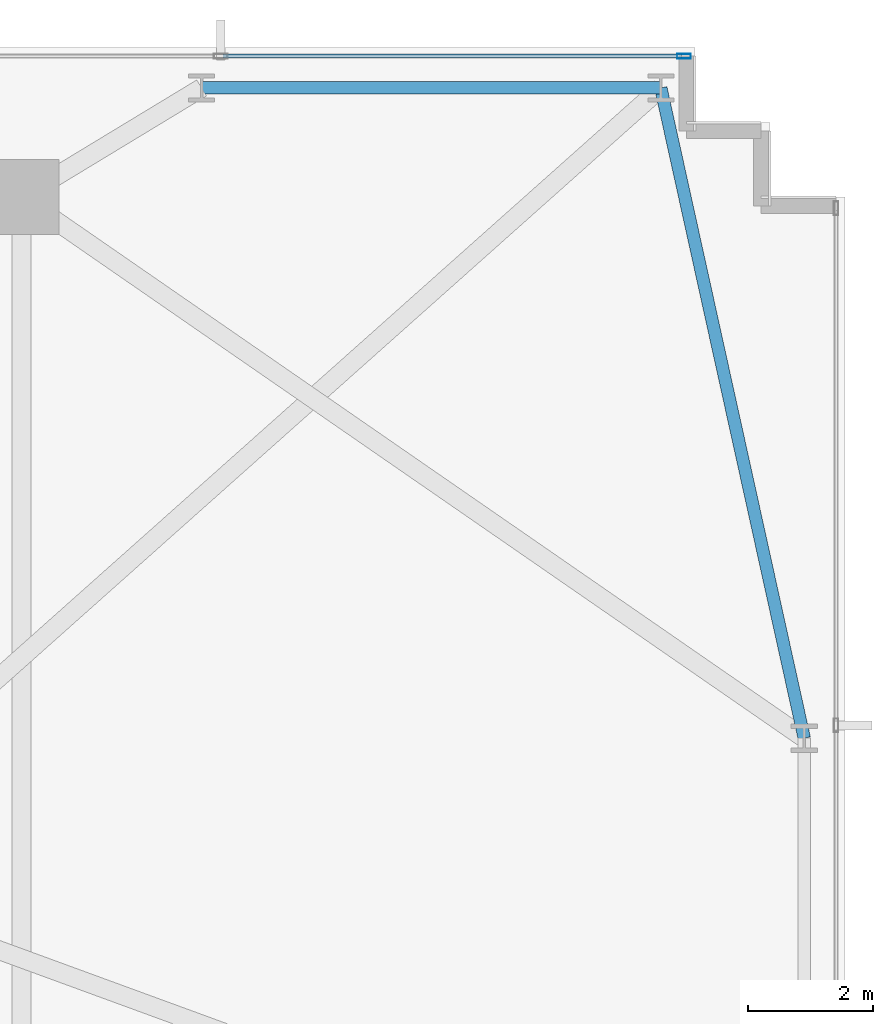
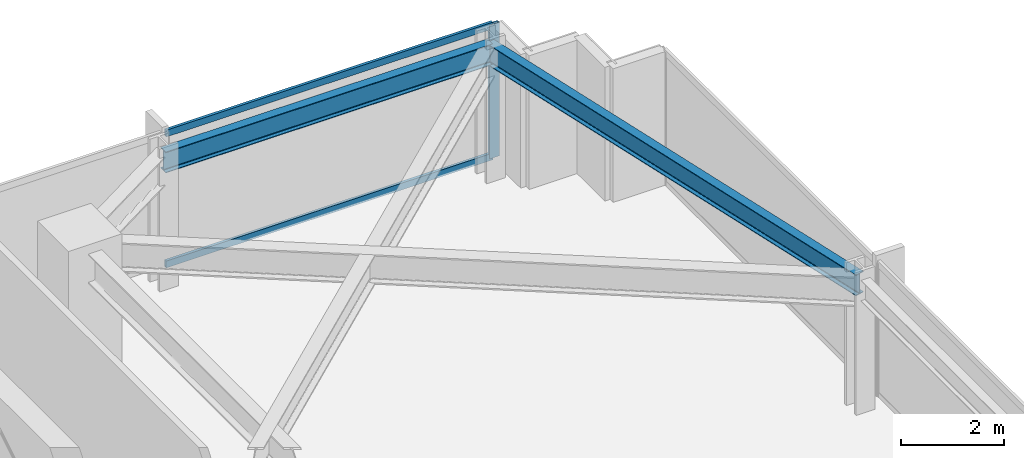
# One storey, part 21 of 32: 3 members, 2 beams, 1 element without a shape of its own.
"""IFC4 building model written with IfcOpenShell, lengths in metres."""

from ifc_helpers import new_model, si_unit, direction, frame, origin, origin_2d, place, context, subcontext, project, spatial, hollow_rectangle, i_section, extrude, material, material_profile, profile_set, type_object, element, aggregate, save


model = new_model("IFC4")

# Units and contexts
model_context = context("Model", 3, precision=1e-05, world=origin(), true_north=direction((0.0, 1.0)))
body_context = subcontext(model_context, "Body", "Model", "MODEL_VIEW")
ifc_project = project(units=[si_unit("LENGTHUNIT", "METRE"), si_unit("AREAUNIT", "SQUARE_METRE"), si_unit("VOLUMEUNIT", "CUBIC_METRE"), si_unit("PLANEANGLEUNIT", "RADIAN"), si_unit("MASSUNIT", "GRAM", prefix="KILO")], contexts=[model_context])

# Site, building, storey
site_placement = place(None, origin())
site = spatial("IfcSite", under=ifc_project, at=site_placement, CompositionType="ELEMENT")
building_placement = place(site_placement, origin())
building = spatial("IfcBuilding", under=site, at=building_placement, Name="Yelkora Congress Tower", CompositionType="ELEMENT")
storey_placement = place(building_placement, frame((0.0, 0.0, 44.0)))
storey = spatial("IfcBuildingStorey", under=building, at=storey_placement, Name="L10", CompositionType="ELEMENT", Elevation=44.0)

# Beams
ifc_material_1 = material(Name="Steel S355J2", Category="steel")
ifc_material_profile_1 = material_profile(ifc_material_1, i_section(OverallWidth=0.199951171875, OverallDepth=0.5, WebThickness=0.01025390625, FlangeThickness=0.01611328125, FilletRadius=0.02099609375, at=origin_2d()), Name="IPE 500")
ifc_profile_set_1 = profile_set([ifc_material_profile_1], Name="Steel S355J2")
beam_type = type_object("IfcBeamType", Name="BM-SPAN-IPE500", PredefinedType="SPANDREL", material=ifc_profile_set_1)
beam_1_placement = place(storey_placement, frame((70.14990234375, 37.52490234375, 2.929931640625), z_axis=(-0.215424087425, 0.97652058993, 0.0), x_axis=(-0.97652058993, -0.215424087425, 0.0)))
element("IfcBeam", 1, at=beam_1_placement, inside=storey, type_object=beam_type, Name="L10 Perimeter Beam 13", PredefinedType="SPANDREL", context=body_context, shape_type="SweptSolid", body=[
    extrude(i_section(OverallWidth=0.199951171875, OverallDepth=0.5, WebThickness=0.01025390625, FlangeThickness=0.01611328125, FilletRadius=0.02099609375, at=origin_2d()), origin(), (0.0, 0.0, 1.0), 10.67578125),
])
beam_2_placement = place(storey_placement, frame((67.85009765625, 47.949951171875, 2.929931640625), z_axis=(-1.0, 0.0, 0.0), x_axis=(0.0, -1.0, 0.0)))
element("IfcBeam", 2, at=beam_2_placement, inside=storey, type_object=beam_type, Name="L10 Perimeter Beam 14", PredefinedType="SPANDREL", context=body_context, shape_type="SweptSolid", body=[
    extrude(i_section(OverallWidth=0.199951171875, OverallDepth=0.5, WebThickness=0.01025390625, FlangeThickness=0.01611328125, FilletRadius=0.02099609375, at=origin_2d()), origin(), (0.0, 0.0, 1.0), 7.362548828125),
])

# Curtain wall, members
ifc_material_2 = material(Name="Anodised aluminium and insulated glass", Category="aluminium")
curtain_wall_type = type_object("IfcCurtainWallType", Name="CW-SYS-B1", PredefinedType="NOTDEFINED", material=ifc_material_2)
curtain_wall_placement = place(storey_placement, origin())
curtain_wall = element("IfcCurtainWall", 3, at=curtain_wall_placement, inside=storey, type_object=curtain_wall_type, Name="L10 Unitised Curtain Wall 10", PredefinedType="NOTDEFINED")
ifc_material_3 = material(Name="Anodised aluminium 6063-T6", Category="aluminium")
ifc_material_profile_2 = material_profile(ifc_material_3, hollow_rectangle(XDim=0.074951171875, YDim=0.219970703125, WallThickness=0.0048828125, at=origin_2d()), Name="ALU 75x220x5")
ifc_profile_set_2 = profile_set([ifc_material_profile_2], Name="Anodised aluminium 6063-T6")
member_type_1 = type_object("IfcMemberType", Name="MEM-ML-B1", PredefinedType="MULLION", material=ifc_profile_set_2)
member_1_placement = place(storey_placement, frame((68.222412109375, 48.4599609375, 0.0), z_axis=(0.0, 0.0, 1.0), x_axis=(0.0, 1.0, 0.0)))
member_1 = element("IfcMember", 4, at=member_1_placement, type_object=member_type_1, Name="CW-B1 mullion 9", PredefinedType="MULLION", context=body_context, shape_type="SweptSolid", body=[
    extrude(hollow_rectangle(XDim=0.074951171875, YDim=0.219970703125, WallThickness=0.0048828125, at=origin_2d()), origin(), (0.0, 0.0, 1.0), 3.179931640625),
])
ifc_material_profile_3 = material_profile(ifc_material_3, hollow_rectangle(XDim=0.06494140625, YDim=0.159912109375, WallThickness=0.00390625, at=origin_2d()), Name="ALU 65x160x4")
ifc_profile_set_3 = profile_set([ifc_material_profile_3], Name="Anodised aluminium 6063-T6")
member_type_2 = type_object("IfcMemberType", Name="MEM-TR-B1", PredefinedType="USERDEFINED", material=ifc_profile_set_3)
member_2_placement = place(storey_placement, frame((60.83251953125, 48.4599609375, 0.032470703125), z_axis=(1.0, 0.0, 0.0), x_axis=(0.0, 1.0, 0.0)))
member_2 = element("IfcMember", 5, at=member_2_placement, type_object=member_type_2, Name="CW-B1 transom 8.1", ObjectType="TRANSOM", PredefinedType="USERDEFINED", context=body_context, shape_type="SweptSolid", body=[
    extrude(hollow_rectangle(XDim=0.06494140625, YDim=0.159912109375, WallThickness=0.00390625, at=origin_2d()), origin(), (0.0, 0.0, 1.0), 7.3525390625),
])
member_3_placement = place(storey_placement, frame((60.83251953125, 48.4599609375, 3.1474609375), z_axis=(1.0, 0.0, 0.0), x_axis=(0.0, 1.0, 0.0)))
member_3 = element("IfcMember", 6, at=member_3_placement, type_object=member_type_2, Name="CW-B1 transom 8.2", ObjectType="TRANSOM", PredefinedType="USERDEFINED", context=body_context, shape_type="SweptSolid", body=[
    extrude(hollow_rectangle(XDim=0.06494140625, YDim=0.159912109375, WallThickness=0.00390625, at=origin_2d()), origin(), (0.0, 0.0, 1.0), 7.3525390625),
])
aggregate(curtain_wall, [member_1, member_2, member_3])

save(model, "model.ifc")
